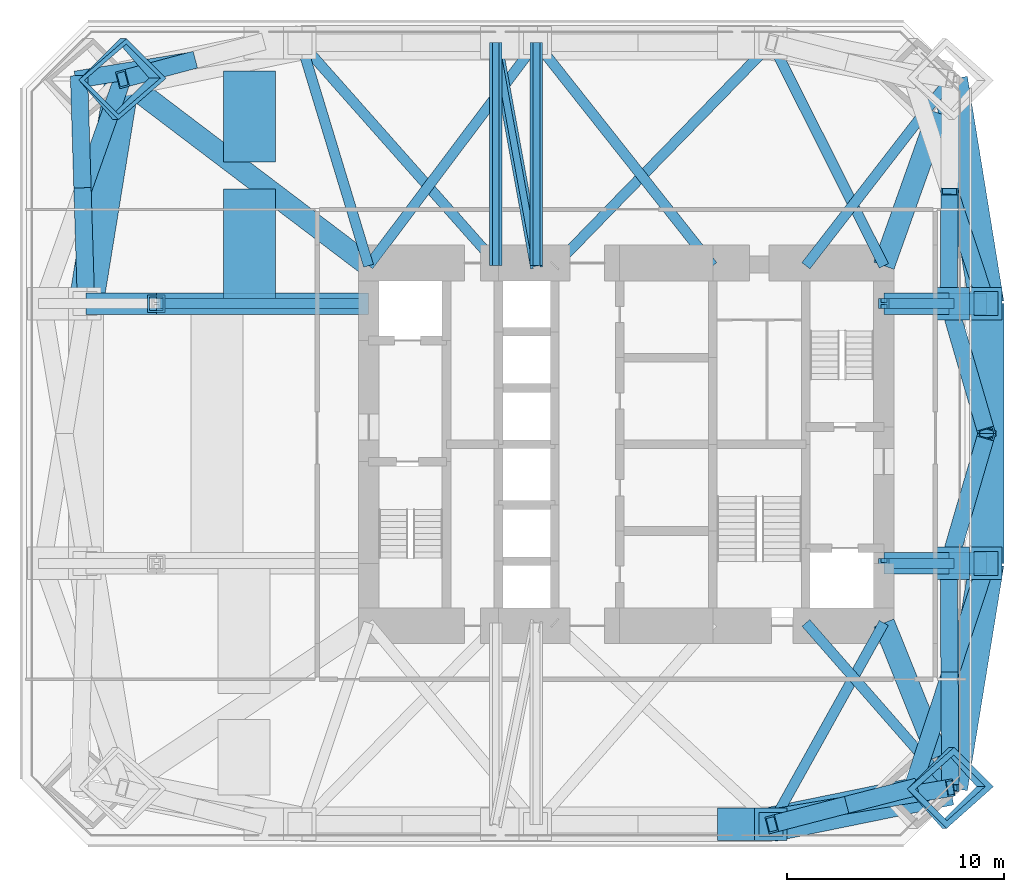
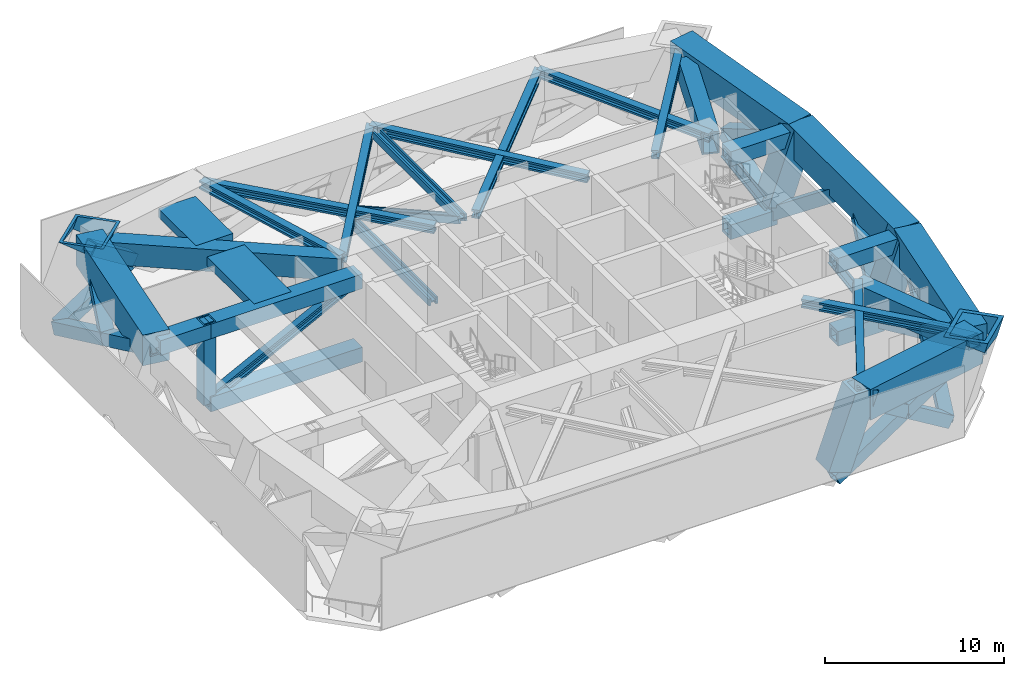
# One storey, part 2 of 8: 45 members, 10 beams.
"""IFC4 building model written with IfcOpenShell, lengths in metres."""

from ifc_helpers import new_model, si_unit, direction, frame, origin, origin_2d, place, context, subcontext, project, spatial, rectangle, hollow_rectangle, i_section, extrude, clip, halfspace, material, material_profile, profile_set, type_object, element, save


model = new_model("IFC4")

# Units and contexts
model_context = context("Model", 3, precision=1e-05, world=origin(), true_north=direction((0.0, 1.0)))
body_context = subcontext(model_context, "Body", "Model", "MODEL_VIEW")
ifc_project = project(units=[si_unit("LENGTHUNIT", "METRE"), si_unit("AREAUNIT", "SQUARE_METRE"), si_unit("VOLUMEUNIT", "CUBIC_METRE"), si_unit("PLANEANGLEUNIT", "RADIAN"), si_unit("MASSUNIT", "GRAM", prefix="KILO")], contexts=[model_context])

# Site, building, storey
site_placement = place(None, origin())
site = spatial("IfcSite", under=ifc_project, at=site_placement, CompositionType="ELEMENT")
building_placement = place(site_placement, origin())
building = spatial("IfcBuilding", under=site, at=building_placement, Name="Jalousie Tower", CompositionType="ELEMENT")
storey_placement = place(building_placement, frame((0.0, 0.0, 79.75)))
storey = spatial("IfcBuildingStorey", under=building, at=storey_placement, Name="L21", CompositionType="ELEMENT", Elevation=79.75)

# Beams
ifc_material_1 = material(Name="Steel ASTM A572 Grade 50 plate", Category="steel")
ifc_material_profile_1 = material_profile(ifc_material_1, hollow_rectangle(XDim=1.0, YDim=1.5, WallThickness=0.10009765625, at=origin_2d()), Name="BOX 1500x1000x100")
ifc_profile_set_1 = profile_set([ifc_material_profile_1], Name="Steel ASTM A572 Grade 50 plate")
beam_type_1 = type_object("IfcBeamType", Name="KINK COLLECTOR BOX 1500x1000x100", PredefinedType="BEAM", material=ifc_profile_set_1)
beam_1_placement = place(storey_placement, frame((46.290771484375, 4.066162109375, 3.969970703125), z_axis=(-0.373612156214, 0.927585013208, 0.0), x_axis=(-0.927585013208, -0.373612156214, 0.0)))
element("IfcBeam", 1, at=beam_1_placement, inside=storey, type_object=beam_type_1, Name="Kink collector 05 L22", PredefinedType="BEAM", context=body_context, shape_type="SweptSolid", body=[
    extrude(hollow_rectangle(XDim=1.0, YDim=1.5, WallThickness=0.10009765625, at=origin_2d()), origin(), (0.0, 0.0, 1.0), 6.66650390625),
])
beam_2_placement = place(storey_placement, frame((46.311767578125, 33.804931640625, 3.969970703125), z_axis=(-0.335400681151, -0.942075571854, 0.0), x_axis=(0.942075571854, -0.335400681151, 0.0)))
element("IfcBeam", 2, at=beam_2_placement, inside=storey, type_object=beam_type_1, Name="Kink collector 08 L22", PredefinedType="BEAM", context=body_context, shape_type="SweptSolid", body=[
    extrude(hollow_rectangle(XDim=1.0, YDim=1.5, WallThickness=0.10009765625, at=origin_2d()), origin(), (0.0, 0.0, 1.0), 7.48876953125),
])
beam_3_placement = place(storey_placement, frame((9.479736328125, 34.7255859375, 3.969970703125), z_axis=(0.796884674536, -0.604131455472, 0.0), x_axis=(0.604131455472, 0.796884674536, 0.0)))
element("IfcBeam", 3, at=beam_3_placement, inside=storey, type_object=beam_type_1, Name="Kink collector 12 L22", PredefinedType="BEAM", context=body_context, shape_type="SweptSolid", body=[
    extrude(hollow_rectangle(XDim=1.0, YDim=1.5, WallThickness=0.10009765625, at=origin_2d()), origin(), (0.0, 0.0, 1.0), 13.20166015625),
])

# Members
ifc_material_2 = material(Name="Steel ASTM A992 Grade 50", Category="steel")
ifc_material_profile_2 = material_profile(ifc_material_2, i_section(OverallWidth=0.472412109375, OverallDepth=0.5791015625, WebThickness=0.094970703125, FlangeThickness=0.1298828125, at=origin_2d()), Name="W14X808")
ifc_profile_set_2 = profile_set([ifc_material_profile_2], Name="Steel ASTM A992 Grade 50")
member_type_1 = type_object("IfcMemberType", Name="KINK FLOOR TRUSS DIAGONAL W14X808", PredefinedType="BRACE", material=ifc_profile_set_2)
member_1_placement = place(storey_placement, frame((38.625, 0.949951171875, 4.430419921875), z_axis=(0.486242699137, 0.87382380234, 0.0), x_axis=(-0.87382380234, 0.486242699137, 0.0)))
element("IfcMember", 4, at=member_1_placement, inside=storey, type_object=member_type_1, Name="Kink floor truss L22 04 diagonal", PredefinedType="BRACE", context=body_context, shape_type="SweptSolid", body=[
    extrude(i_section(OverallWidth=0.472412109375, OverallDepth=0.5791015625, WebThickness=0.094970703125, FlangeThickness=0.1298828125, at=origin_2d()), origin(), (0.0, 0.0, 1.0), 10.642822265625),
])
member_2_placement = place(storey_placement, frame((46.86865234375, 2.63134765625, 4.430419921875), z_axis=(-0.658637750747, 0.75246017389, 0.0), x_axis=(-0.75246017389, -0.658637750747, 0.0)))
element("IfcMember", 5, at=member_2_placement, inside=storey, type_object=member_type_1, Name="Kink floor truss L22 05 diagonal", PredefinedType="BRACE", context=body_context, shape_type="SweptSolid", body=[
    extrude(i_section(OverallWidth=0.472412109375, OverallDepth=0.5791015625, WebThickness=0.094970703125, FlangeThickness=0.1298828125, at=origin_2d()), origin(), (0.0, 0.0, 1.0), 10.125),
])
member_3_placement = place(storey_placement, frame((46.86865234375, 35.36865234375, 4.430419921875), z_axis=(-0.61195492021, -0.79089264482, 0.0), x_axis=(0.79089264482, -0.61195492021, 0.0)))
element("IfcMember", 6, at=member_3_placement, inside=storey, type_object=member_type_1, Name="Kink floor truss L22 08 diagonal", PredefinedType="BRACE", context=body_context, shape_type="SweptSolid", body=[
    extrude(i_section(OverallWidth=0.472412109375, OverallDepth=0.5791015625, WebThickness=0.094970703125, FlangeThickness=0.1298828125, at=origin_2d()), origin(), (0.0, 0.0, 1.0), 10.8974609375),
])
member_4_placement = place(storey_placement, frame((38.625, 37.050048828125, 4.430419921875), z_axis=(-0.697470505101, -0.716613490324, 0.0), x_axis=(0.716613490324, -0.697470505101, 0.0)))
element("IfcMember", 7, at=member_4_placement, inside=storey, type_object=member_type_1, Name="Kink floor truss L22 09 diagonal", PredefinedType="BRACE", context=body_context, shape_type="SweptSolid", body=[
    extrude(i_section(OverallWidth=0.472412109375, OverallDepth=0.5791015625, WebThickness=0.094970703125, FlangeThickness=0.1298828125, at=origin_2d()), origin(), (0.0, 0.0, 1.0), 14.373291015625),
])
member_5_placement = place(storey_placement, frame((38.625, 37.050048828125, 4.430419921875), z_axis=(0.448949500972, -0.893557130561, 0.0), x_axis=(0.893557130561, 0.448949500972, 0.0)))
element("IfcMember", 8, at=member_5_placement, inside=storey, type_object=member_type_1, Name="Kink floor truss L22 09 diagonal", PredefinedType="BRACE", context=body_context, shape_type="SweptSolid", body=[
    extrude(i_section(OverallWidth=0.472412109375, OverallDepth=0.5791015625, WebThickness=0.094970703125, FlangeThickness=0.1298828125, at=origin_2d()), origin(), (0.0, 0.0, 1.0), 11.527099609375),
])
member_6_placement = place(storey_placement, frame((27.75, 37.050048828125, 4.430419921875), z_axis=(-0.601238728681, -0.799069453261, 0.0), x_axis=(0.799069453261, -0.601238728681, 0.0)))
element("IfcMember", 9, at=member_6_placement, inside=storey, type_object=member_type_1, Name="Kink floor truss L22 10 diagonal", PredefinedType="BRACE", context=body_context, shape_type="SweptSolid", body=[
    extrude(i_section(OverallWidth=0.472412109375, OverallDepth=0.5791015625, WebThickness=0.094970703125, FlangeThickness=0.1298828125, at=origin_2d()), origin(), (0.0, 0.0, 1.0), 12.89013671875),
])
member_7_placement = place(storey_placement, frame((27.75, 37.050048828125, 4.430419921875), z_axis=(0.620501531746, -0.784205234043, 0.0), x_axis=(0.784205234043, 0.620501531746, 0.0)))
element("IfcMember", 10, at=member_7_placement, inside=storey, type_object=member_type_1, Name="Kink floor truss L22 10 diagonal", PredefinedType="BRACE", context=body_context, shape_type="SweptSolid", body=[
    extrude(i_section(OverallWidth=0.472412109375, OverallDepth=0.5791015625, WebThickness=0.094970703125, FlangeThickness=0.1298828125, at=origin_2d()), origin(), (0.0, 0.0, 1.0), 13.13427734375),
])
member_8_placement = place(storey_placement, frame((16.875, 37.050048828125, 4.430419921875), z_axis=(0.290328435759, -0.956927060643, 0.0), x_axis=(0.956927060643, 0.290328435759, 0.0)))
element("IfcMember", 11, at=member_8_placement, inside=storey, type_object=member_type_1, Name="Kink floor truss L22 11 diagonal", PredefinedType="BRACE", context=body_context, shape_type="SweptSolid", body=[
    extrude(i_section(OverallWidth=0.472412109375, OverallDepth=0.5791015625, WebThickness=0.094970703125, FlangeThickness=0.1298828125, at=origin_2d()), origin(), (0.0, 0.0, 1.0), 10.763671875),
])
member_9_placement = place(storey_placement, frame((16.875, 37.050048828125, 4.430419921875), z_axis=(0.663120744527, -0.748512443569, 0.0), x_axis=(0.748512443569, 0.663120744527, 0.0)))
element("IfcMember", 12, at=member_9_placement, inside=storey, type_object=member_type_1, Name="Kink floor truss L22 11 diagonal", PredefinedType="BRACE", context=body_context, shape_type="SweptSolid", body=[
    extrude(i_section(OverallWidth=0.472412109375, OverallDepth=0.5791015625, WebThickness=0.094970703125, FlangeThickness=0.1298828125, at=origin_2d()), origin(), (0.0, 0.0, 1.0), 13.7607421875),
])
ifc_material_3 = material(Name="Steel EN 10025-2 S355J2 plate", Category="steel")
ifc_material_profile_3 = material_profile(ifc_material_3, hollow_rectangle(XDim=2.5, YDim=2.800048828125, WallThickness=0.175048828125, at=origin_2d()), Name="BOX 2800x2500x175")
ifc_profile_set_3 = profile_set([ifc_material_profile_3], Name="Steel EN 10025-2 S355J2 plate")
member_type_2 = type_object("IfcMemberType", Name="KINK NODE BOX 2800x2500x175", PredefinedType="MEMBER", material=ifc_profile_set_3)
member_10_placement = place(storey_placement, frame((8.3525390625, 35.36865234375, 4.302978515625), z_axis=(0.371390676354, 0.0, 0.928476690885), x_axis=(0.631748504238, -0.732827974204, -0.252699401695)))
element("IfcMember", 13, at=member_10_placement, inside=storey, type_object=member_type_2, Name="Kink node of corner column 12 at +84.750", PredefinedType="MEMBER", context=body_context, shape_type="Clipping", body=[
    clip(extrude(hollow_rectangle(XDim=2.5, YDim=2.800048828125, WallThickness=0.175048828125, at=origin_2d()), origin(), (0.0, 0.0, 1.0), 1.50146484375), halfspace(frame((0.0, 0.0, 0.750732421875), z_axis=(-0.252699401695, -0.272165476991, 0.928476690885)), False)),
])
ifc_material_4 = material(Name="Steel EN 10025-2 S355J2 plate", Category="steel")
ifc_material_profile_4 = material_profile(ifc_material_4, hollow_rectangle(XDim=2.5, YDim=2.800048828125, WallThickness=0.25, at=origin_2d()), Name="BOX 2800x2500x250")
ifc_profile_set_4 = profile_set([ifc_material_profile_4], Name="Steel EN 10025-2 S355J2 plate")
member_type_3 = type_object("IfcMemberType", Name="KINK NODE BOX 2800x2500x250", PredefinedType="MEMBER", material=ifc_profile_set_4)
member_11_placement = place(storey_placement, frame((46.651611328125, 2.63134765625, 4.380126953125), z_axis=(0.330300747079, 0.0, 0.943875742076), x_axis=(-0.647875004471, 0.727225506888, 0.226717976161)))
element("IfcMember", 14, at=member_11_placement, inside=storey, type_object=member_type_3, Name="Kink node of corner column 05 at +84.750", PredefinedType="MEMBER", context=body_context, shape_type="Clipping", body=[
    clip(extrude(hollow_rectangle(XDim=2.5, YDim=2.800048828125, WallThickness=0.25, at=origin_2d()), origin(), (0.0, 0.0, 1.0), 1.3134765625), halfspace(frame((0.0, 0.0, 0.65673828125), z_axis=(0.226717976161, 0.24020312822, 0.943875742076)), False)),
])
ifc_material_5 = material(Name="Steel ASTM A992 Grade 50", Category="steel")
ifc_material_profile_5 = material_profile(ifc_material_5, i_section(OverallWidth=0.472412109375, OverallDepth=0.5791015625, WebThickness=0.094970703125, FlangeThickness=0.1298828125, at=origin_2d()), Name="W14X808")
ifc_profile_set_5 = profile_set([ifc_material_profile_5], Name="Steel ASTM A992 Grade 50")
member_type_4 = type_object("IfcMemberType", Name="NORTH-SOUTH OUTRIGGER CHORD W14X808", PredefinedType="CHORD", material=ifc_profile_set_5)
for number, where, z_axis, x_axis, name in (
    (15, (25.875, 37.050048828125, -0.569580078125), (0.0, -1.0, 0.0), (0.0, 0.0, 1.0), "Outrigger T1 N10 chord L21"),
    (16, (27.75, 37.050048828125, 4.430419921875), (0.0, -1.0, 0.0), (0.0, 0.0, 1.0), "Outrigger T1 N10 chord L22"),
):
    element("IfcMember", number, at=place(storey_placement, frame(where, z_axis=z_axis, x_axis=x_axis)), inside=storey, type_object=member_type_4, Name=name, PredefinedType="CHORD", context=body_context, shape_type="SweptSolid", body=[
        extrude(i_section(OverallWidth=0.472412109375, OverallDepth=0.5791015625, WebThickness=0.094970703125, FlangeThickness=0.1298828125, at=origin_2d()), origin(), (0.0, 0.0, 1.0), 10.300048828125),
    ])
ifc_material_6 = material(Name="Steel ASTM A992 Grade 50", Category="steel")
ifc_material_profile_6 = material_profile(ifc_material_6, i_section(OverallWidth=0.45458984375, OverallDepth=0.569091796875, WebThickness=0.077880859375, FlangeThickness=0.124755859375, at=origin_2d()), Name="W14X730")
ifc_profile_set_6 = profile_set([ifc_material_profile_6], Name="Steel ASTM A992 Grade 50")
member_type_5 = type_object("IfcMemberType", Name="NORTH-SOUTH OUTRIGGER DIAGONAL W14X730", PredefinedType="BRACE", material=ifc_profile_set_6)
member_12_placement = place(storey_placement, frame((25.875, 37.050048828125, -0.569580078125), z_axis=(0.161609931043, -0.887781429791, 0.430959816116), x_axis=(-0.077182641019, 0.423991984632, 0.90237111927)))
element("IfcMember", 17, at=member_12_placement, inside=storey, type_object=member_type_5, Name="Outrigger T1 N10 diagonal L21", PredefinedType="BRACE", context=body_context, shape_type="SweptSolid", body=[
    extrude(i_section(OverallWidth=0.45458984375, OverallDepth=0.569091796875, WebThickness=0.077880859375, FlangeThickness=0.124755859375, at=origin_2d()), origin(), (0.0, 0.0, 1.0), 11.60205078125),
])
ifc_material_7 = material(Name="Steel EN 10025-2 S355J2 plate", Category="steel")
ifc_material_profile_7 = material_profile(ifc_material_7, hollow_rectangle(XDim=1.0, YDim=1.0, WallThickness=0.199951171875, at=origin_2d()), Name="BOX 1000x1000x200")
ifc_profile_set_7 = profile_set([ifc_material_profile_7], Name="Steel EN 10025-2 S355J2 plate")
member_type_6 = type_object("IfcMemberType", Name="OUTRIGGER CHORD BOX 1000x1000x200", PredefinedType="CHORD", material=ifc_profile_set_7)
member_13_placement = place(storey_placement, frame((10.199951171875, 25.0, -0.780029296875), z_axis=(1.0, 0.0, 0.0), x_axis=(0.0, 1.0, 0.0)))
element("IfcMember", 18, at=member_13_placement, inside=storey, type_object=member_type_6, Name="Outrigger T1 west arm at column 13 chord L21", PredefinedType="CHORD", context=body_context, shape_type="SweptSolid", body=[
    extrude(hollow_rectangle(XDim=1.0, YDim=1.0, WallThickness=0.199951171875, at=origin_2d()), origin(), (0.0, 0.0, 1.0), 9.800048828125),
])
member_14_placement = place(storey_placement, frame((6.949951171875, 25.0, 4.219970703125), z_axis=(1.0, 0.0, 0.0), x_axis=(0.0, 1.0, 0.0)))
element("IfcMember", 19, at=member_14_placement, inside=storey, type_object=member_type_6, Name="Outrigger T1 west arm at column 13 chord L22", PredefinedType="CHORD", context=body_context, shape_type="SweptSolid", body=[
    extrude(hollow_rectangle(XDim=1.0, YDim=1.0, WallThickness=0.199951171875, at=origin_2d()), origin(), (0.0, 0.0, 1.0), 3.25),
])
member_15_placement = place(storey_placement, frame((10.199951171875, 25.0, 4.219970703125), z_axis=(1.0, 0.0, 0.0), x_axis=(0.0, 1.0, 0.0)))
element("IfcMember", 20, at=member_15_placement, inside=storey, type_object=member_type_6, Name="Outrigger T1 west arm at column 13 chord L22", PredefinedType="CHORD", context=body_context, shape_type="SweptSolid", body=[
    extrude(hollow_rectangle(XDim=1.0, YDim=1.0, WallThickness=0.199951171875, at=origin_2d()), origin(), (0.0, 0.0, 1.0), 9.800048828125),
])
member_16_placement = place(storey_placement, frame((46.800048828125, 13.0, -0.780029296875), z_axis=(-1.0, 0.0, 0.0), x_axis=(0.0, -1.0, 0.0)))
element("IfcMember", 21, at=member_16_placement, inside=storey, type_object=member_type_6, Name="Outrigger T1 east arm at column 06 chord L21", PredefinedType="CHORD", context=body_context, shape_type="SweptSolid", body=[
    extrude(hollow_rectangle(XDim=1.0, YDim=1.0, WallThickness=0.199951171875, at=origin_2d()), origin(), (0.0, 0.0, 1.0), 3.0),
])
member_17_placement = place(storey_placement, frame((48.550048828125, 13.0, 4.219970703125), z_axis=(-1.0, 0.0, 0.0), x_axis=(0.0, -1.0, 0.0)))
element("IfcMember", 22, at=member_17_placement, inside=storey, type_object=member_type_6, Name="Outrigger T1 east arm at column 06 chord L22", PredefinedType="CHORD", context=body_context, shape_type="SweptSolid", body=[
    extrude(hollow_rectangle(XDim=1.0, YDim=1.0, WallThickness=0.199951171875, at=origin_2d()), origin(), (0.0, 0.0, 1.0), 4.75),
])
member_18_placement = place(storey_placement, frame((46.800048828125, 25.0, -0.780029296875), z_axis=(-1.0, 0.0, 0.0), x_axis=(0.0, -1.0, 0.0)))
element("IfcMember", 23, at=member_18_placement, inside=storey, type_object=member_type_6, Name="Outrigger T1 east arm at column 07 chord L21", PredefinedType="CHORD", context=body_context, shape_type="SweptSolid", body=[
    extrude(hollow_rectangle(XDim=1.0, YDim=1.0, WallThickness=0.199951171875, at=origin_2d()), origin(), (0.0, 0.0, 1.0), 3.0),
])
member_19_placement = place(storey_placement, frame((48.550048828125, 25.0, 4.219970703125), z_axis=(-1.0, 0.0, 0.0), x_axis=(0.0, -1.0, 0.0)))
element("IfcMember", 24, at=member_19_placement, inside=storey, type_object=member_type_6, Name="Outrigger T1 east arm at column 07 chord L22", PredefinedType="CHORD", context=body_context, shape_type="SweptSolid", body=[
    extrude(hollow_rectangle(XDim=1.0, YDim=1.0, WallThickness=0.199951171875, at=origin_2d()), origin(), (0.0, 0.0, 1.0), 4.75),
])
ifc_material_8 = material(Name="Steel ASTM A992 Grade 50", Category="steel")
ifc_material_profile_8 = material_profile(ifc_material_8, i_section(OverallWidth=0.472412109375, OverallDepth=0.5791015625, WebThickness=0.094970703125, FlangeThickness=0.1298828125, at=origin_2d()), Name="W14X808")
ifc_profile_set_8 = profile_set([ifc_material_profile_8], Name="Steel ASTM A992 Grade 50")
member_type_7 = type_object("IfcMemberType", Name="OUTRIGGER DIAGONAL W14X808", PredefinedType="BRACE", material=ifc_profile_set_8)
member_20_placement = place(storey_placement, frame((10.199951171875, 25.0, -0.780029296875), z_axis=(0.890762786381, 0.0, 0.454468545006), x_axis=(0.0, 1.0, 0.0)))
element("IfcMember", 25, at=member_20_placement, inside=storey, type_object=member_type_7, Name="Outrigger T1 west arm at column 13 diagonal L21", PredefinedType="BRACE", context=body_context, shape_type="SweptSolid", body=[
    extrude(i_section(OverallWidth=0.472412109375, OverallDepth=0.5791015625, WebThickness=0.094970703125, FlangeThickness=0.1298828125, at=origin_2d()), origin(), (0.0, 0.0, 1.0), 11.001953125),
])
for number, where, z_axis, x_axis, name in (
    (26, (46.800048828125, 13.0, -0.780029296875), (-0.514495755428, 0.0, 0.857492925713), (0.0, -1.0, 0.0), "Outrigger T1 east arm at column 06 diagonal L21"),
    (27, (46.800048828125, 25.0, -0.780029296875), (-0.514495755428, 0.0, 0.857492925713), (0.0, -1.0, 0.0), "Outrigger T1 east arm at column 07 diagonal L21"),
):
    element("IfcMember", number, at=place(storey_placement, frame(where, z_axis=z_axis, x_axis=x_axis)), inside=storey, type_object=member_type_7, Name=name, PredefinedType="BRACE", context=body_context, shape_type="SweptSolid", body=[
        extrude(i_section(OverallWidth=0.472412109375, OverallDepth=0.5791015625, WebThickness=0.094970703125, FlangeThickness=0.1298828125, at=origin_2d()), origin(), (0.0, 0.0, 1.0), 5.8310546875),
    ])
ifc_material_9 = material(Name="Steel ASTM A572 Grade 50 plate", Category="steel")
ifc_material_profile_9 = material_profile(ifc_material_9, hollow_rectangle(XDim=0.800048828125, YDim=0.800048828125, WallThickness=0.090087890625, at=origin_2d()), Name="BOX 800x800x90")
ifc_profile_set_9 = profile_set([ifc_material_profile_9], Name="Steel ASTM A572 Grade 50 plate")
member_type_8 = type_object("IfcMemberType", Name="OUTRIGGER POST BOX 800x800x90", PredefinedType="POST", material=ifc_profile_set_9)
member_21_placement = place(storey_placement, frame((10.199951171875, 25.0, -0.780029296875), z_axis=(0.0, 0.0, 1.0), x_axis=(1.0, 0.0, 0.0)))
element("IfcMember", 28, at=member_21_placement, inside=storey, type_object=member_type_8, Name="Outrigger T1 west arm at column 13 post L21", PredefinedType="POST", context=body_context, shape_type="SweptSolid", body=[
    extrude(hollow_rectangle(XDim=0.800048828125, YDim=0.800048828125, WallThickness=0.090087890625, at=origin_2d()), origin(), (0.0, 0.0, 1.0), 5.5),
])
ifc_material_10 = material(Name="Steel ASTM A572 Grade 50 plate", Category="steel")
ifc_material_profile_10 = material_profile(ifc_material_10, hollow_rectangle(XDim=0.800048828125, YDim=0.800048828125, WallThickness=0.080078125, at=origin_2d()), Name="BOX 800x800x80")
ifc_profile_set_10 = profile_set([ifc_material_profile_10], Name="Steel ASTM A572 Grade 50 plate")
member_type_9 = type_object("IfcMemberType", Name="PERIMETER BRACE BOX 800x800x80", PredefinedType="BRACE", material=ifc_profile_set_10)
member_22_placement = place(storey_placement, frame((36.8125, 0.949951171875, -0.75), z_axis=(0.895834111449, 0.149233466181, 0.418581673435), x_axis=(-0.164321615289, 0.98640681605, 0.0)))
element("IfcMember", 29, at=member_22_placement, inside=storey, type_object=member_type_9, Name="Perimeter brace 04-05 L21 part 1", PredefinedType="BRACE", context=body_context, shape_type="SweptSolid", body=[
    extrude(hollow_rectangle(XDim=0.800048828125, YDim=0.800048828125, WallThickness=0.080078125, at=origin_2d()), origin(), (0.0, 0.0, 1.0), 5.63427734375),
])
member_23_placement = place(storey_placement, frame((41.85986328125, 1.790771484375, 1.6083984375), z_axis=(0.895606801225, 0.150300946413, 0.418686139138), x_axis=(-0.165505798253, 0.986208817008, 0.0)))
element("IfcMember", 30, at=member_23_placement, inside=storey, type_object=member_type_9, Name="Perimeter brace 04-05 L21 part 2", PredefinedType="BRACE", context=body_context, shape_type="SweptSolid", body=[
    extrude(hollow_rectangle(XDim=0.800048828125, YDim=0.800048828125, WallThickness=0.080078125, at=origin_2d()), origin(), (0.0, 0.0, 1.0), 5.592529296875),
])
member_24_placement = place(storey_placement, frame((45.11865234375, 2.63134765625, -0.75), z_axis=(-0.792981500214, -0.204542650977, 0.573883824698), x_axis=(0.249766123942, -0.968306192963, 0.0)))
element("IfcMember", 31, at=member_24_placement, inside=storey, type_object=member_type_9, Name="Perimeter brace 04-05 L21 part 3", PredefinedType="BRACE", context=body_context, shape_type="SweptSolid", body=[
    extrude(hollow_rectangle(XDim=0.800048828125, YDim=0.800048828125, WallThickness=0.080078125, at=origin_2d()), origin(), (0.0, 0.0, 1.0), 4.109619140625),
])
member_25_placement = place(storey_placement, frame((41.85986328125, 1.790771484375, 1.6083984375), z_axis=(-0.792673232586, -0.206035216077, 0.573775771602), x_axis=(0.251565431737, -0.967840293414, 0.0)))
element("IfcMember", 32, at=member_25_placement, inside=storey, type_object=member_type_9, Name="Perimeter brace 04-05 L21 part 4", PredefinedType="BRACE", context=body_context, shape_type="SweptSolid", body=[
    extrude(hollow_rectangle(XDim=0.800048828125, YDim=0.800048828125, WallThickness=0.080078125, at=origin_2d()), origin(), (0.0, 0.0, 1.0), 4.0810546875),
])
for number, where, z_axis, x_axis, name in (
    (33, (45.11865234375, 2.63134765625, -0.75), (0.288573104817, 0.872043529356, 0.395304497932), (-0.949369549214, 0.314161517416, 0.0), "Perimeter brace 05-06 L21 part 1"),
    (34, (46.834228515625, 7.815673828125, 1.60009765625), (0.288615435684, 0.872047350135, 0.395265163412), (-0.949356214213, 0.314201811796, 0.0), "Perimeter brace 05-06 L21 part 2"),
):
    element("IfcMember", number, at=place(storey_placement, frame(where, z_axis=z_axis, x_axis=x_axis)), inside=storey, type_object=member_type_9, Name=name, PredefinedType="BRACE", context=body_context, shape_type="SweptSolid", body=[
        extrude(hollow_rectangle(XDim=0.800048828125, YDim=0.800048828125, WallThickness=0.080078125, at=origin_2d()), origin(), (0.0, 0.0, 1.0), 5.945068359375),
    ])
for number, where, z_axis, x_axis, name in (
    (35, (46.800048828125, 13.0, -0.75), (0.006004632517, -0.910774082176, 0.412861375796), (0.999978267615, 0.006592745819, 0.0), "Perimeter brace 05-06 L21 part 3"),
    (36, (46.834228515625, 7.815673828125, 1.60009765625), (0.006047628272, -0.910789974089, 0.41282568875), (0.999977956054, 0.006639834792, 0.0), "Perimeter brace 05-06 L21 part 4"),
):
    element("IfcMember", number, at=place(storey_placement, frame(where, z_axis=z_axis, x_axis=x_axis)), inside=storey, type_object=member_type_9, Name=name, PredefinedType="BRACE", context=body_context, shape_type="SweptSolid", body=[
        extrude(hollow_rectangle(XDim=0.800048828125, YDim=0.800048828125, WallThickness=0.080078125, at=origin_2d()), origin(), (0.0, 0.0, 1.0), 5.692138671875),
    ])
for number, where, z_axis, x_axis, name in (
    (37, (46.800048828125, 13.0, -0.75), (0.223785823085, 0.767265679147, 0.601018537975), (-0.96, 0.28, 0.0), "Perimeter brace 06-07 L21 part 1"),
    (38, (46.800048828125, 25.0, -0.75), (0.223785823085, -0.767265679147, 0.601018537975), (0.96, 0.28, 0.0), "Perimeter brace 06-07 L21 part 2"),
):
    element("IfcMember", number, at=place(storey_placement, frame(where, z_axis=z_axis, x_axis=x_axis)), inside=storey, type_object=member_type_9, Name=name, PredefinedType="BRACE", context=body_context, shape_type="SweptSolid", body=[
        extrude(hollow_rectangle(XDim=0.800048828125, YDim=0.800048828125, WallThickness=0.080078125, at=origin_2d()), origin(), (0.0, 0.0, 1.0), 7.820068359375),
    ])
member_26_placement = place(storey_placement, frame((46.800048828125, 25.0, -0.75), z_axis=(0.006004632517, 0.910774082176, 0.412861375796), x_axis=(-0.999978267615, 0.006592745819, 0.0)))
element("IfcMember", 39, at=member_26_placement, inside=storey, type_object=member_type_9, Name="Perimeter brace 07-08 L21 part 1", PredefinedType="BRACE", context=body_context, shape_type="SweptSolid", body=[
    extrude(hollow_rectangle(XDim=0.800048828125, YDim=0.800048828125, WallThickness=0.080078125, at=origin_2d()), origin(), (0.0, 0.0, 1.0), 5.692138671875),
])
member_27_placement = place(storey_placement, frame((46.834228515625, 30.184326171875, 1.60009765625), z_axis=(0.288615435684, -0.872047350135, 0.395265163412), x_axis=(0.949356214213, 0.314201811796, 0.0)))
element("IfcMember", 40, at=member_27_placement, inside=storey, type_object=member_type_9, Name="Perimeter brace 07-08 L21 part 4", PredefinedType="BRACE", context=body_context, shape_type="SweptSolid", body=[
    extrude(hollow_rectangle(XDim=0.800048828125, YDim=0.800048828125, WallThickness=0.080078125, at=origin_2d()), origin(), (0.0, 0.0, 1.0), 5.945068359375),
])
member_28_placement = place(storey_placement, frame((11.772705078125, 36.20947265625, 1.6083984375), z_axis=(-0.783920409639, -0.209825281013, 0.584330508188), x_axis=(0.258559706194, -0.965995278629, 0.0)))
element("IfcMember", 41, at=member_28_placement, inside=storey, type_object=member_type_9, Name="Perimeter brace 11-12 L21 part 2", PredefinedType="BRACE", context=body_context, shape_type="SweptSolid", body=[
    extrude(hollow_rectangle(XDim=0.800048828125, YDim=0.800048828125, WallThickness=0.080078125, at=origin_2d()), origin(), (0.0, 0.0, 1.0), 4.00732421875),
])
member_29_placement = place(storey_placement, frame((6.63134765625, 35.36865234375, -0.75), z_axis=(0.89905611793, 0.147032113118, 0.41240714655), x_axis=(-0.16139645565, 0.986889651432, 0.0)))
element("IfcMember", 42, at=member_29_placement, inside=storey, type_object=member_type_9, Name="Perimeter brace 11-12 L21 part 3", PredefinedType="BRACE", context=body_context, shape_type="SweptSolid", body=[
    extrude(hollow_rectangle(XDim=0.800048828125, YDim=0.800048828125, WallThickness=0.080078125, at=origin_2d()), origin(), (0.0, 0.0, 1.0), 5.718505859375),
])
for number, where, z_axis, x_axis, name in (
    (43, (6.63134765625, 35.36865234375, -0.75), (0.027996847846, -0.91043348241, 0.412706979123), (0.999527519425, 0.03073658913, 0.0), "Perimeter brace 12-13 L21 part 1"),
    (44, (6.790771484375, 30.184326171875, 1.60009765625), (0.027954501802, -0.910450683702, 0.412671901607), (0.999528964403, 0.030689563682, 0.0), "Perimeter brace 12-13 L21 part 2"),
):
    element("IfcMember", number, at=place(storey_placement, frame(where, z_axis=z_axis, x_axis=x_axis)), inside=storey, type_object=member_type_9, Name=name, PredefinedType="BRACE", context=body_context, shape_type="SweptSolid", body=[
        extrude(hollow_rectangle(XDim=0.800048828125, YDim=0.800048828125, WallThickness=0.080078125, at=origin_2d()), origin(), (0.0, 0.0, 1.0), 5.6943359375),
    ])
member_30_placement = place(storey_placement, frame((6.790771484375, 30.184326171875, 1.60009765625), z_axis=(0.307675237144, 0.866624706294, 0.392807289761), x_axis=(-0.942371787829, 0.334567502164, 0.0)))
element("IfcMember", 45, at=member_30_placement, inside=storey, type_object=member_type_9, Name="Perimeter brace 12-13 L21 part 4", PredefinedType="BRACE", context=body_context, shape_type="SweptSolid", body=[
    extrude(hollow_rectangle(XDim=0.800048828125, YDim=0.800048828125, WallThickness=0.080078125, at=origin_2d()), origin(), (0.0, 0.0, 1.0), 5.982177734375),
])

# Beams
ifc_material_11 = material(Name="Concrete f'c 40 MPa", Category="concrete")
ifc_material_profile_11 = material_profile(ifc_material_11, rectangle(XDim=1.60009765625, YDim=2.10009765625, at=origin_2d()), Name="RC 1600x2100")
ifc_profile_set_11 = profile_set([ifc_material_profile_11], Name="Concrete f'c 40 MPa")
beam_type_2 = type_object("IfcBeamType", Name="RC BEAM 1600x2100", PredefinedType="BEAM", material=ifc_profile_set_11)
beam_4_placement = place(storey_placement, frame((38.625, 0.949951171875, 3.949951171875), z_axis=(0.97982690954, 0.199848010602, 0.0), x_axis=(-0.199848010602, 0.97982690954, 0.0)))
element("IfcBeam", 46, at=beam_4_placement, inside=storey, type_object=beam_type_2, Name="Edge band beam 04-05 under L22", PredefinedType="BEAM", context=body_context, shape_type="SweptSolid", body=[
    extrude(rectangle(XDim=1.60009765625, YDim=2.10009765625, at=origin_2d()), origin(), (0.0, 0.0, 1.0), 8.413330078125),
])
beam_5_placement = place(storey_placement, frame((46.86865234375, 2.63134765625, 3.949951171875), z_axis=(0.160070546476, 0.987105577003, 0.0), x_axis=(-0.987105577003, 0.160070546476, 0.0)))
element("IfcBeam", 47, at=beam_5_placement, inside=storey, type_object=beam_type_2, Name="Edge band beam 05-06 under L22", PredefinedType="BEAM", context=body_context, shape_type="SweptSolid", body=[
    extrude(rectangle(XDim=1.60009765625, YDim=2.10009765625, at=origin_2d()), origin(), (0.0, 0.0, 1.0), 10.504150390625),
])
beam_6_placement = place(storey_placement, frame((48.550048828125, 13.0, 3.949951171875), z_axis=(0.0, 1.0, 0.0), x_axis=(-1.0, 0.0, 0.0)))
element("IfcBeam", 48, at=beam_6_placement, inside=storey, type_object=beam_type_2, Name="Edge band beam 06-07 under L22", PredefinedType="BEAM", context=body_context, shape_type="SweptSolid", body=[
    extrude(rectangle(XDim=1.60009765625, YDim=2.10009765625, at=origin_2d()), origin(), (0.0, 0.0, 1.0), 12.0),
])
for number, where, z_axis, x_axis, name in (
    (49, (48.550048828125, 25.0, 3.949951171875), (-0.160070546476, 0.987105577003, 0.0), (-0.987105577003, -0.160070546476, 0.0), "Edge band beam 07-08 under L22"),
    (50, (8.63134765625, 35.36865234375, 3.949951171875), (-0.160070546476, -0.987105577003, 0.0), (0.987105577003, -0.160070546476, 0.0), "Edge band beam 12-13 under L22"),
):
    element("IfcBeam", number, at=place(storey_placement, frame(where, z_axis=z_axis, x_axis=x_axis)), inside=storey, type_object=beam_type_2, Name=name, PredefinedType="BEAM", context=body_context, shape_type="SweptSolid", body=[
        extrude(rectangle(XDim=1.60009765625, YDim=2.10009765625, at=origin_2d()), origin(), (0.0, 0.0, 1.0), 10.504150390625),
    ])
ifc_material_12 = material(Name="Concrete f'c 40 MPa", Category="concrete")
ifc_material_profile_12 = material_profile(ifc_material_12, rectangle(XDim=2.39990234375, YDim=0.60009765625, at=origin_2d()), Name="RC 2400x600")
ifc_profile_set_12 = profile_set([ifc_material_profile_12], Name="Concrete f'c 40 MPa")
beam_type_3 = type_object("IfcBeamType", Name="RC BEAM 2400x600", PredefinedType="BEAM", material=ifc_profile_set_12)
beam_7_placement = place(storey_placement, frame((14.5, 25.0, 4.419921875), z_axis=(0.0, 1.0, 0.0), x_axis=(-1.0, 0.0, 0.0)))
element("IfcBeam", 51, at=beam_7_placement, inside=storey, type_object=beam_type_3, Name="Floor band beam under L22", PredefinedType="BEAM", context=body_context, shape_type="SweptSolid", body=[
    extrude(rectangle(XDim=2.39990234375, YDim=0.60009765625, at=origin_2d()), origin(), (0.0, 0.0, 1.0), 5.2919921875),
])
beam_8_placement = place(storey_placement, frame((14.5, 31.547119140625, 4.419921875), z_axis=(0.0, 1.0, 0.0), x_axis=(-1.0, 0.0, 0.0)))
element("IfcBeam", 52, at=beam_8_placement, inside=storey, type_object=beam_type_3, Name="Floor band beam under L22", PredefinedType="BEAM", context=body_context, shape_type="SweptSolid", body=[
    extrude(rectangle(XDim=2.39990234375, YDim=0.60009765625, at=origin_2d()), origin(), (0.0, 0.0, 1.0), 4.201904296875),
])

# Members
ifc_material_13 = material(Name="Steel EN 10025-2 S355J2 plate", Category="steel")
ifc_material_profile_13 = material_profile(ifc_material_13, hollow_rectangle(XDim=1.5, YDim=1.5, WallThickness=0.199951171875, at=origin_2d()), Name="BOX 1500x1500x200")
ifc_profile_set_13 = profile_set([ifc_material_profile_13], Name="Steel EN 10025-2 S355J2 plate")
member_type_10 = type_object("IfcMemberType", Name="TRANSFER TRUSS STRUT BOX 1500x1500x200", PredefinedType="STRUT", material=ifc_profile_set_13)
member_31_placement = place(storey_placement, frame((36.8125, 0.949951171875, 0.0), z_axis=(0.340799323621, 0.0, 0.940136065162), x_axis=(0.0, 1.0, 0.0)))
element("IfcMember", 53, at=member_31_placement, inside=storey, type_object=member_type_10, Name="Transfer truss T1 strut 04 L21", PredefinedType="STRUT", context=body_context, shape_type="Clipping", body=[
    clip(extrude(hollow_rectangle(XDim=1.5, YDim=1.5, WallThickness=0.199951171875, at=origin_2d()), origin(), (0.0, 0.0, 1.0), 5.318359375), halfspace(frame((0.0, 0.0, 5.297119140625), z_axis=(0.0, 0.340799323621, 0.940136065162)), False)),
])
for number, where, z_axis, x_axis, name in (
    (54, (46.800048828125, 13.0, 0.0), (0.330350424728, 0.0, 0.943858356366), (0.0, 1.0, 0.0), "Transfer truss T1 strut 06 L21"),
    (55, (46.800048828125, 25.0, 0.0), (0.330350424728, 0.0, 0.943858356366), (0.0, 1.0, 0.0), "Transfer truss T1 strut 07 L21"),
):
    element("IfcMember", number, at=place(storey_placement, frame(where, z_axis=z_axis, x_axis=x_axis)), inside=storey, type_object=member_type_10, Name=name, PredefinedType="STRUT", context=body_context, shape_type="Clipping", body=[
        clip(extrude(hollow_rectangle(XDim=1.5, YDim=1.5, WallThickness=0.199951171875, at=origin_2d()), origin(), (0.0, 0.0, 1.0), 5.29736328125), halfspace(frame((0.0, 0.0, 5.276123046875), z_axis=(0.0, 0.330350424728, 0.943858356366)), False)),
    ])

save(model, "model.ifc")
